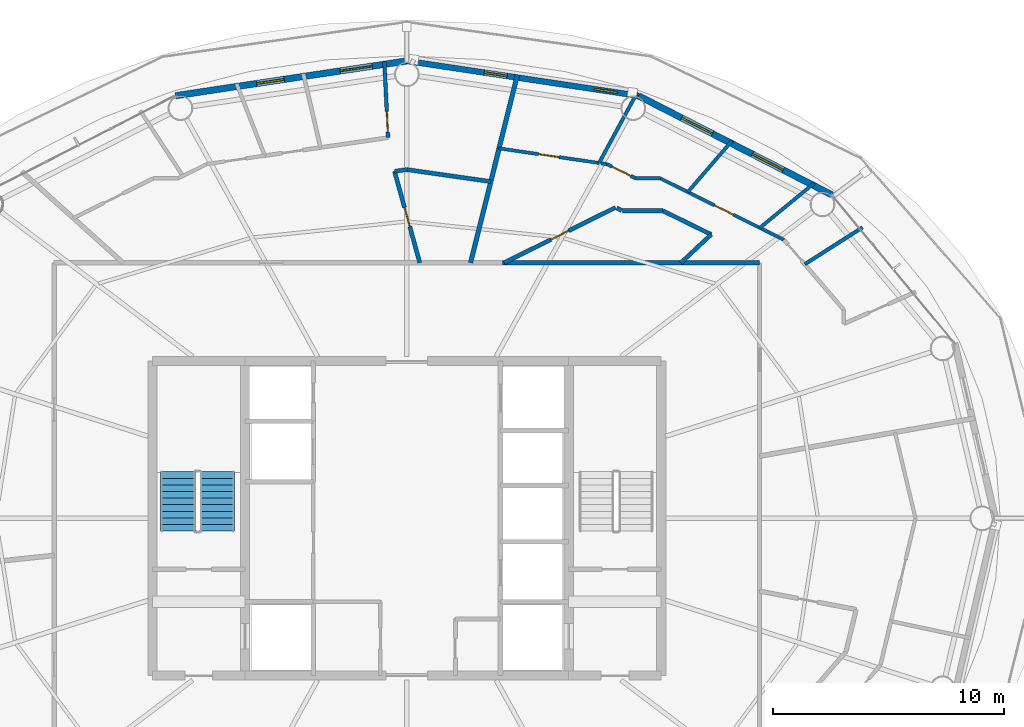
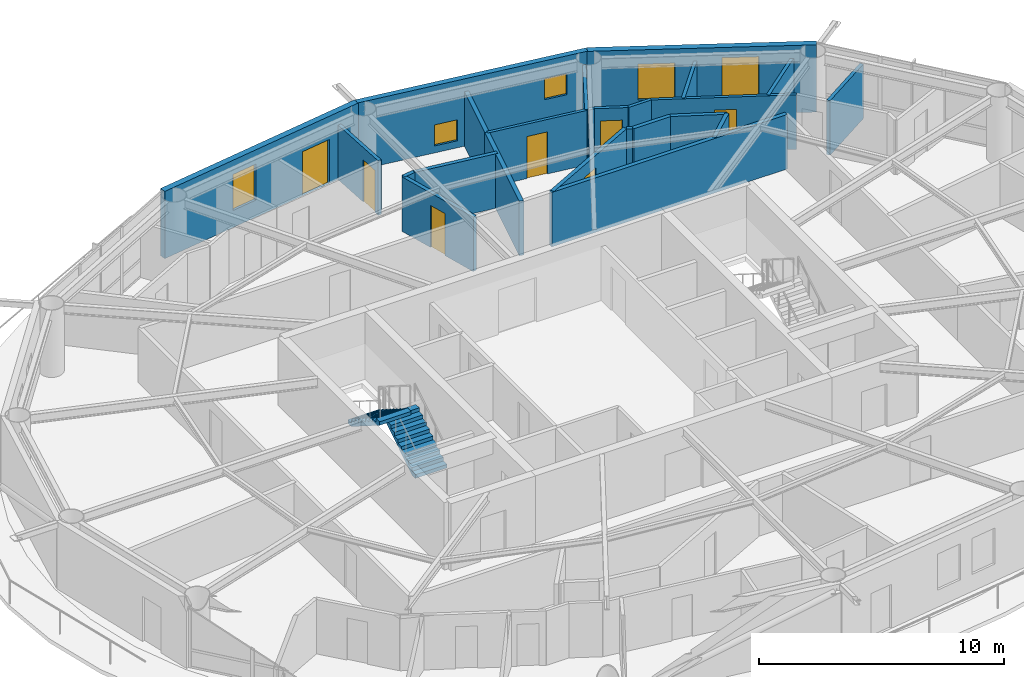
# One storey, part 19 of 23: 24 walls, 7 doors, 5 windows, 2 stair flights, 12 openings, 1 element without a shape of its own.
"""IFC4 building model written with IfcOpenShell, lengths in metres."""

from ifc_helpers import new_model, si_unit, direction, frame, frame_2d, origin, place, context, subcontext, project, spatial, polyline, rectangle, outline, extrude, material, layer, layer_set, type_object, element, fill, aggregate, save


model = new_model("IFC4")

# Units and contexts
model_context = context("Model", 3, precision=1e-05, world=origin(), true_north=direction((0.0, 1.0)))
body_context = subcontext(model_context, "Body", "Model", "MODEL_VIEW")
ifc_project = project(units=[si_unit("LENGTHUNIT", "METRE"), si_unit("AREAUNIT", "SQUARE_METRE"), si_unit("VOLUMEUNIT", "CUBIC_METRE"), si_unit("PLANEANGLEUNIT", "RADIAN"), si_unit("MASSUNIT", "GRAM", prefix="KILO")], contexts=[model_context])

# Site, building, storey
site_placement = place(None, origin())
site = spatial("IfcSite", under=ifc_project, at=site_placement, CompositionType="ELEMENT")
building_placement = place(site_placement, origin())
building = spatial("IfcBuilding", under=site, at=building_placement, Name="Sarneth Arch Tower", CompositionType="ELEMENT")
storey_placement = place(building_placement, frame((0.0, 0.0, 249.60009765625)))
storey = spatial("IfcBuildingStorey", under=building, at=storey_placement, Name="L64", CompositionType="ELEMENT", Elevation=249.60009765625)

# Wall
ifc_material_1 = material(Name="Double steel-stud corridor fire wall", Category="steel")
ifc_layer_1 = layer(ifc_material_1, 0.18994140625)
ifc_layer_set_1 = layer_set([ifc_layer_1], Name="Double steel-stud corridor fire wall")
wall_type_1 = type_object("IfcWallType", Name="WALL-CORR-190", PredefinedType="PARTITIONING", material=ifc_layer_set_1)
wall_1_placement = place(storey_placement, frame((52.132568359375, 53.050048828125, 0.0), z_axis=(0.0, 0.0, 1.0), x_axis=(1.0, 0.0, 0.0)))
element("IfcWall", 1, at=wall_1_placement, inside=storey, type_object=wall_type_1, Name="L64 Interior partition W-L64-TP-004", PredefinedType="PARTITIONING", context=body_context, shape_type="SweptSolid", body=[
    extrude(rectangle(XDim=11.117431640625, YDim=0.18994140625, at=frame_2d((5.55859375, 0.0))), origin(), (0.0, 0.0, 1.0), 2.719970703125),
])

# Wall, openings, windows
ifc_material_2 = material(Name="Extruded terracotta rainscreen on Concrete C40/50 backing", Category="masonry")
ifc_layer_2 = layer(ifc_material_2, 0.25)
ifc_layer_set_2 = layer_set([ifc_layer_2], Name="Extruded terracotta rainscreen on Concrete C40/50 backing")
wall_type_2 = type_object("IfcWallType", Name="WALL-EXT-SPAND-250", PredefinedType="SOLIDWALL", material=ifc_layer_set_2)
wall_2_placement = place(storey_placement, frame((58.0126953125, 60.2744140625, 0.0), z_axis=(0.0, 0.0, 1.0), x_axis=(-0.988882522213, 0.148698881169, 0.0)))
wall_2 = element("IfcWall", 2, at=wall_2_placement, inside=storey, type_object=wall_type_2, Name="L64 Terracotta perimeter wall 04", PredefinedType="SOLIDWALL", context=body_context, shape_type="SweptSolid", body=[
    extrude(rectangle(XDim=10.125244140625, YDim=0.25, at=frame_2d((5.0625, 0.0))), origin(), (0.0, 0.0, 1.0), 3.35986328125),
])
opening_1_placement = place(wall_2_placement, frame((0.919677734375, 0.0, 1.419921875)))
opening_1 = element("IfcOpeningElement", 3, at=opening_1_placement, cuts=wall_2, Name="Opening W-14", PredefinedType="OPENING", context=body_context, shape_type="SweptSolid", body=[
    extrude(rectangle(XDim=1.0, YDim=1.050048828125, at=frame_2d((0.5, 0.52490234375))), frame((0.0, 0.135009765625, 0.0), z_axis=(0.0, -1.0, 0.0), x_axis=(1.0, 0.0, 0.0)), (0.0, 0.0, 1.0), 0.27001953125),
])
opening_2_placement = place(wall_2_placement, frame((5.73779296875, 0.0, 0.35009765625)))
opening_2 = element("IfcOpeningElement", 4, at=opening_2_placement, cuts=wall_2, Name="Opening W-14", PredefinedType="OPENING", context=body_context, shape_type="SweptSolid", body=[
    extrude(rectangle(XDim=1.0, YDim=1.050048828125, at=frame_2d((0.5, 0.52490234375))), frame((0.0, 0.135009765625, 0.0), z_axis=(0.0, -1.0, 0.0), x_axis=(1.0, 0.0, 0.0)), (0.0, 0.0, 1.0), 0.27001953125),
])
ifc_material_3 = material(Name="Thermally broken Aluminium 6063-T6 and low-e laminated IGU", Category="aluminium")
window_type_1 = type_object("IfcWindowType", Name="WIN-TWR-1000x1050", PartitioningType="SINGLE_PANEL", PredefinedType="WINDOW", material=ifc_material_3)
window_1_placement = place(opening_1_placement, origin())
window_1 = element("IfcWindow", 5, at=window_1_placement, inside=storey, type_object=window_type_1, Name="L64 Dwelling bedroom window 01", OverallHeight=1.050048828125, OverallWidth=1.0, PartitioningType="SINGLE_PANEL", PredefinedType="WINDOW", context=body_context, shape_type="SweptSolid", body=[
    extrude(rectangle(XDim=1.0, YDim=1.050048828125, at=frame_2d((0.5, 0.52490234375))), frame((0.0, 0.030029296875, 0.0), z_axis=(0.0, -1.0, 0.0), x_axis=(1.0, 0.0, 0.0)), (0.0, 0.0, 1.0), 0.06005859375),
])
fill(opening_1, window_1)
window_2_placement = place(opening_2_placement, origin())
window_2 = element("IfcWindow", 6, at=window_2_placement, inside=storey, type_object=window_type_1, Name="L64 Dwelling bedroom window 02", OverallHeight=1.050048828125, OverallWidth=1.0, PartitioningType="SINGLE_PANEL", PredefinedType="WINDOW", context=body_context, shape_type="SweptSolid", body=[
    extrude(rectangle(XDim=1.0, YDim=1.050048828125, at=frame_2d((0.5, 0.52490234375))), frame((0.0, 0.030029296875, 0.0), z_axis=(0.0, -1.0, 0.0), x_axis=(1.0, 0.0, 0.0)), (0.0, 0.0, 1.0), 0.06005859375),
])
fill(opening_2, window_2)

ifc_material_4 = material(Name="Extruded terracotta rainscreen on Concrete C40/50 backing", Category="masonry")
ifc_layer_3 = layer(ifc_material_4, 0.280029296875)
ifc_layer_set_3 = layer_set([ifc_layer_3], Name="Extruded terracotta rainscreen on Concrete C40/50 backing")
wall_type_3 = type_object("IfcWallType", Name="WALL-EXT-TERRA-280", PredefinedType="SOLIDWALL", material=ifc_layer_set_3)
wall_3_placement = place(storey_placement, frame((66.382568359375, 55.986572265625, 0.0), z_axis=(0.0, 0.0, 1.0), x_axis=(-0.890007394051, 0.455946091699, 0.0)))
wall_3 = element("IfcWall", 7, at=wall_3_placement, inside=storey, type_object=wall_type_3, Name="L64 Terracotta perimeter wall 03", PredefinedType="SOLIDWALL", context=body_context, shape_type="SweptSolid", body=[
    extrude(rectangle(XDim=9.404296875, YDim=0.280029296875, at=frame_2d((4.7021484375, 0.0))), origin(), (0.0, 0.0, 1.0), 3.35986328125),
])
opening_3_placement = place(wall_3_placement, frame((2.369140625, 0.0, 0.85009765625)))
opening_3 = element("IfcOpeningElement", 8, at=opening_3_placement, cuts=wall_3, Name="Opening W-06", PredefinedType="OPENING", context=body_context, shape_type="SweptSolid", body=[
    extrude(rectangle(XDim=1.5, YDim=2.0, at=frame_2d((0.75, 1.0))), frame((0.0, 0.14990234375, 0.0), z_axis=(0.0, -1.0, 0.0), x_axis=(1.0, 0.0, 0.0)), (0.0, 0.0, 1.0), 0.300048828125),
])
opening_4_placement = place(wall_3_placement, frame((5.81005859375, 0.0, 0.85009765625)))
opening_4 = element("IfcOpeningElement", 9, at=opening_4_placement, cuts=wall_3, Name="Opening W-07", PredefinedType="OPENING", context=body_context, shape_type="SweptSolid", body=[
    extrude(rectangle(XDim=1.5, YDim=1.800048828125, at=frame_2d((0.75, 0.89990234375))), frame((0.0, 0.14990234375, 0.0), z_axis=(0.0, -1.0, 0.0), x_axis=(1.0, 0.0, 0.0)), (0.0, 0.0, 1.0), 0.300048828125),
])
ifc_material_5 = material(Name="Thermally broken Aluminium 6063-T6 and low-e laminated IGU", Category="aluminium")
window_type_2 = type_object("IfcWindowType", Name="WIN-TWR-1500x1800", PartitioningType="SINGLE_PANEL", PredefinedType="WINDOW", material=ifc_material_5)
window_3_placement = place(opening_4_placement, origin())
window_3 = element("IfcWindow", 10, at=window_3_placement, inside=storey, type_object=window_type_2, Name="L64 Exterior window 03B", OverallHeight=1.800048828125, OverallWidth=1.5, PartitioningType="SINGLE_PANEL", PredefinedType="WINDOW", context=body_context, shape_type="SweptSolid", body=[
    extrude(rectangle(XDim=1.5, YDim=1.800048828125, at=frame_2d((0.75, 0.89990234375))), frame((0.0, 0.030029296875, 0.0), z_axis=(0.0, -1.0, 0.0), x_axis=(1.0, 0.0, 0.0)), (0.0, 0.0, 1.0), 0.06005859375),
])
fill(opening_4, window_3)
ifc_material_6 = material(Name="Thermally broken Aluminium 6063-T6 and low-e laminated IGU", Category="aluminium")
window_type_3 = type_object("IfcWindowType", Name="WIN-TWR-1500x2000", PartitioningType="SINGLE_PANEL", PredefinedType="WINDOW", material=ifc_material_6)
window_4_placement = place(opening_3_placement, origin())
window_4 = element("IfcWindow", 11, at=window_4_placement, inside=storey, type_object=window_type_3, Name="L64 Exterior window 03A", OverallHeight=2.0, OverallWidth=1.5, PartitioningType="SINGLE_PANEL", PredefinedType="WINDOW", context=body_context, shape_type="SweptSolid", body=[
    extrude(rectangle(XDim=1.5, YDim=2.0, at=frame_2d((0.75, 1.0))), frame((0.0, 0.030029296875, 0.0), z_axis=(0.0, -1.0, 0.0), x_axis=(1.0, 0.0, 0.0)), (0.0, 0.0, 1.0), 0.06005859375),
])
fill(opening_3, window_4)

# Wall, openings, door, window
wall_4_placement = place(storey_placement, frame((48.0, 61.780029296875, 0.0), z_axis=(0.0, 0.0, 1.0), x_axis=(-0.988882522213, -0.148698881169, 0.0)))
wall_4 = element("IfcWall", 12, at=wall_4_placement, inside=storey, type_object=wall_type_3, Name="L64 Terracotta perimeter wall 05", PredefinedType="SOLIDWALL", context=body_context, shape_type="SweptSolid", body=[
    extrude(rectangle(XDim=10.125244140625, YDim=0.280029296875, at=frame_2d((5.0625, 0.0))), origin(), (0.0, 0.0, 1.0), 3.35986328125),
])
opening_5_placement = place(wall_4_placement, frame((1.51611328125, 0.0, 0.0)))
opening_5 = element("IfcOpeningElement", 13, at=opening_5_placement, cuts=wall_4, Name="Opening BD-2", PredefinedType="OPENING", context=body_context, shape_type="SweptSolid", body=[
    extrude(rectangle(XDim=1.39990234375, YDim=2.199951171875, at=frame_2d((0.699951171875, 1.10009765625))), frame((0.0, 0.14990234375, 0.0), z_axis=(0.0, -1.0, 0.0), x_axis=(1.0, 0.0, 0.0)), (0.0, 0.0, 1.0), 0.300048828125),
])
opening_6_placement = place(wall_4_placement, frame((5.368408203125, 0.0, 0.85009765625)))
opening_6 = element("IfcOpeningElement", 14, at=opening_6_placement, cuts=wall_4, Name="Opening W-09", PredefinedType="OPENING", context=body_context, shape_type="SweptSolid", body=[
    extrude(rectangle(XDim=1.199951171875, YDim=1.800048828125, at=frame_2d((0.60009765625, 0.89990234375))), frame((0.0, 0.14990234375, 0.0), z_axis=(0.0, -1.0, 0.0), x_axis=(1.0, 0.0, 0.0)), (0.0, 0.0, 1.0), 0.300048828125),
])
ifc_material_7 = material(Name="Thermally broken Aluminium 6063-T6 and laminated safety glass", Category="aluminium")
door_type_1 = type_object("IfcDoorType", Name="DR-BALC-GLZ-1400", OperationType="SINGLE_SWING_LEFT", PredefinedType="DOOR", material=ifc_material_7)
door_1_placement = place(opening_5_placement, origin())
door_1 = element("IfcDoor", 15, at=door_1_placement, inside=storey, type_object=door_type_1, Name="L64 Balcony glazed door 05", OperationType="SINGLE_SWING_LEFT", OverallHeight=2.199951171875, OverallWidth=1.39990234375, PredefinedType="DOOR", context=body_context, shape_type="SweptSolid", body=[
    extrude(rectangle(XDim=1.39990234375, YDim=2.199951171875, at=frame_2d((0.699951171875, 1.10009765625))), frame((0.0, 0.02490234375, 0.0), z_axis=(0.0, -1.0, 0.0), x_axis=(1.0, 0.0, 0.0)), (0.0, 0.0, 1.0), 0.050048828125),
])
fill(opening_5, door_1)
ifc_material_8 = material(Name="Thermally broken Aluminium 6063-T6 and low-e laminated IGU", Category="aluminium")
window_type_4 = type_object("IfcWindowType", Name="WIN-TWR-1200x1800", PartitioningType="SINGLE_PANEL", PredefinedType="WINDOW", material=ifc_material_8)
window_5_placement = place(opening_6_placement, origin())
window_5 = element("IfcWindow", 16, at=window_5_placement, inside=storey, type_object=window_type_4, Name="L64 Exterior window 05A", OverallHeight=1.800048828125, OverallWidth=1.199951171875, PartitioningType="SINGLE_PANEL", PredefinedType="WINDOW", context=body_context, shape_type="SweptSolid", body=[
    extrude(rectangle(XDim=1.199951171875, YDim=1.800048828125, at=frame_2d((0.60009765625, 0.89990234375))), frame((0.0, 0.030029296875, 0.0), z_axis=(0.0, -1.0, 0.0), x_axis=(1.0, 0.0, 0.0)), (0.0, 0.0, 1.0), 0.06005859375),
])
fill(opening_6, window_5)

# Wall, opening, door
ifc_material_9 = material(Name="Apartment internal stud partition", Category="gypsum")
ifc_layer_4 = layer(ifc_material_9, 0.139892578125)
ifc_layer_set_4 = layer_set([ifc_layer_4], Name="Apartment internal stud partition")
wall_type_4 = type_object("IfcWallType", Name="WALL-PART-140", PredefinedType="PARTITIONING", material=ifc_layer_set_4)
wall_5_placement = place(storey_placement, frame((56.313232421875, 57.36767578125, 0.0), z_axis=(0.0, 0.0, 1.0), x_axis=(-0.989534144388, 0.144298915765, 0.0)))
wall_5 = element("IfcWall", 17, at=wall_5_placement, inside=storey, type_object=wall_type_4, Name="L64 Interior partition W-L64-TP-032", PredefinedType="PARTITIONING", context=body_context, shape_type="SweptSolid", body=[
    extrude(rectangle(XDim=4.3701171875, YDim=0.139892578125, at=frame_2d((2.18505859375, 0.0))), origin(), (0.0, 0.0, 1.0), 2.719970703125),
])
opening_7_placement = place(wall_5_placement, frame((1.735107421875, 0.0, 0.0)))
opening_7 = element("IfcOpeningElement", 18, at=opening_7_placement, cuts=wall_5, Name="Opening ID-01", PredefinedType="OPENING", context=body_context, shape_type="SweptSolid", body=[
    extrude(rectangle(XDim=0.89990234375, YDim=2.10009765625, at=frame_2d((0.449951171875, 1.050048828125))), frame((0.0, 0.079833984375, 0.0), z_axis=(0.0, -1.0, 0.0), x_axis=(1.0, 0.0, 0.0)), (0.0, 0.0, 1.0), 0.159912109375),
])
ifc_material_10 = material(Name="Engineered hardwood flush door", Category="wood")
door_type_2 = type_object("IfcDoorType", Name="DR-INT-900", OperationType="SINGLE_SWING_LEFT", PredefinedType="DOOR", material=ifc_material_10)
door_2_placement = place(opening_7_placement, origin())
door_2 = element("IfcDoor", 19, at=door_2_placement, inside=storey, type_object=door_type_2, Name="L64 Interior door DR-L64-U1-BED3", OperationType="SINGLE_SWING_RIGHT", OverallHeight=2.10009765625, OverallWidth=0.89990234375, PredefinedType="DOOR", context=body_context, shape_type="SweptSolid", body=[
    extrude(rectangle(XDim=0.89990234375, YDim=2.10009765625, at=frame_2d((0.449951171875, 1.050048828125))), frame((0.0, 0.02490234375, 0.0), z_axis=(0.0, -1.0, 0.0), x_axis=(1.0, 0.0, 0.0)), (0.0, 0.0, 1.0), 0.050048828125),
])
fill(opening_7, door_2)

wall_6_placement = place(storey_placement, frame((58.9638671875, 56.699951171875, 0.0), z_axis=(0.0, 0.0, 1.0), x_axis=(0.895471406875, -0.445119039661, 0.0)))
wall_6 = element("IfcWall", 20, at=wall_6_placement, inside=storey, type_object=wall_type_4, Name="L64 Interior partition W-L64-TP-027", PredefinedType="PARTITIONING", context=body_context, shape_type="SweptSolid", body=[
    extrude(rectangle(XDim=5.971435546875, YDim=0.139892578125, at=frame_2d((2.98583984375, 0.0))), origin(), (0.0, 0.0, 1.0), 2.719970703125),
])
opening_8_placement = place(wall_6_placement, frame((2.615966796875, 0.0, 0.0)))
opening_8 = element("IfcOpeningElement", 21, at=opening_8_placement, cuts=wall_6, Name="Opening ID-01", PredefinedType="OPENING", context=body_context, shape_type="SweptSolid", body=[
    extrude(rectangle(XDim=0.89990234375, YDim=2.10009765625, at=frame_2d((0.449951171875, 1.050048828125))), frame((0.0, 0.079833984375, 0.0), z_axis=(0.0, -1.0, 0.0), x_axis=(1.0, 0.0, 0.0)), (0.0, 0.0, 1.0), 0.159912109375),
])
door_3_placement = place(opening_8_placement, origin())
door_3 = element("IfcDoor", 22, at=door_3_placement, inside=storey, type_object=door_type_2, Name="L64 Interior door DR-L64-U1-BED1", OperationType="SINGLE_SWING_LEFT", OverallHeight=2.10009765625, OverallWidth=0.89990234375, PredefinedType="DOOR", context=body_context, shape_type="SweptSolid", body=[
    extrude(rectangle(XDim=0.89990234375, YDim=2.10009765625, at=frame_2d((0.449951171875, 1.050048828125))), frame((0.0, 0.02490234375, 0.0), z_axis=(0.0, -1.0, 0.0), x_axis=(1.0, 0.0, 0.0)), (0.0, 0.0, 1.0), 0.050048828125),
])
fill(opening_8, door_3)

# Walls
ifc_material_11 = material(Name="Acoustic gypsum stud partition", Category="gypsum")
ifc_layer_5 = layer(ifc_material_11, 0.14990234375)
ifc_layer_set_5 = layer_set([ifc_layer_5], Name="Acoustic gypsum stud partition")
wall_type_5 = type_object("IfcWallType", Name="WALL-PART-150", PredefinedType="PARTITIONING", material=ifc_layer_set_5)
wall_7_placement = place(storey_placement, frame((57.952392578125, 60.3974609375, 0.0), z_axis=(0.0, 0.0, 1.0), x_axis=(-0.47584015673, -0.879531776142, 0.0)))
element("IfcWall", 23, at=wall_7_placement, inside=storey, type_object=wall_type_5, Name="L64 Interior partition W-L64-TP-040", PredefinedType="PARTITIONING", context=body_context, shape_type="SweptSolid", body=[
    extrude(rectangle(XDim=3.44482421875, YDim=0.14990234375, at=frame_2d((1.722412109375, 0.0))), origin(), (0.0, 0.0, 1.0), 2.719970703125),
])
wall_8_placement = place(storey_placement, frame((65.62158203125, 56.5, 0.0), z_axis=(0.0, 0.0, 1.0), x_axis=(-0.772175042734, -0.635409870381, 0.0)))
element("IfcWall", 24, at=wall_8_placement, inside=storey, type_object=wall_type_5, Name="L64 Interior partition W-L64-TP-038", PredefinedType="PARTITIONING", context=body_context, shape_type="SweptSolid", body=[
    extrude(rectangle(XDim=3.05078125, YDim=0.14990234375, at=frame_2d((1.525390625, 0.0))), origin(), (0.0, 0.0, 1.0), 2.719970703125),
])
wall_9_placement = place(storey_placement, frame((62.063232421875, 58.330322265625, 0.0), z_axis=(0.0, 0.0, 1.0), x_axis=(-0.652532437784, -0.757760791834, 0.0)))
element("IfcWall", 25, at=wall_9_placement, inside=storey, type_object=wall_type_5, Name="L64 Interior partition W-L64-TP-039", PredefinedType="PARTITIONING", context=body_context, shape_type="SweptSolid", body=[
    extrude(rectangle(XDim=2.93017578125, YDim=0.14990234375, at=frame_2d((1.465087890625, 0.0))), origin(), (0.0, 0.0, 1.0), 2.719970703125),
])

# Wall, opening, door
wall_10_placement = place(storey_placement, frame((57.898681640625, 56.699951171875, 0.0), z_axis=(0.0, 0.0, 1.0), x_axis=(-0.895584310315, 0.444891833053, 0.0)))
wall_10 = element("IfcWall", 26, at=wall_10_placement, inside=storey, type_object=wall_type_5, Name="L64 Interior partition W-L64-TP-030", PredefinedType="PARTITIONING", context=body_context, shape_type="SweptSolid", body=[
    extrude(rectangle(XDim=1.388916015625, YDim=0.14990234375, at=frame_2d((0.6943359375, 0.0))), origin(), (0.0, 0.0, 1.0), 2.719970703125),
])
opening_9_placement = place(wall_10_placement, frame((0.244384765625, 0.0, 0.0)))
opening_9 = element("IfcOpeningElement", 27, at=opening_9_placement, cuts=wall_10, Name="Opening ID-01", PredefinedType="OPENING", context=body_context, shape_type="SweptSolid", body=[
    extrude(rectangle(XDim=0.89990234375, YDim=2.10009765625, at=frame_2d((0.449951171875, 1.050048828125))), frame((0.0, 0.0849609375, 0.0), z_axis=(0.0, -1.0, 0.0), x_axis=(1.0, 0.0, 0.0)), (0.0, 0.0, 1.0), 0.169921875),
])
door_4_placement = place(opening_9_placement, origin())
door_4 = element("IfcDoor", 28, at=door_4_placement, inside=storey, type_object=door_type_2, Name="L64 Interior door DR-L64-U1-BED2", OperationType="SINGLE_SWING_RIGHT", OverallHeight=2.10009765625, OverallWidth=0.89990234375, PredefinedType="DOOR", context=body_context, shape_type="SweptSolid", body=[
    extrude(rectangle(XDim=0.89990234375, YDim=2.10009765625, at=frame_2d((0.449951171875, 1.050048828125))), frame((0.0, 0.02490234375, 0.0), z_axis=(0.0, -1.0, 0.0), x_axis=(1.0, 0.0, 0.0)), (0.0, 0.0, 1.0), 0.050048828125),
])
fill(opening_9, door_4)

# Walls
wall_11_placement = place(storey_placement, frame((58.9638671875, 56.699951171875, 0.0), z_axis=(0.0, 0.0, 1.0), x_axis=(-1.0, 0.0, 0.0)))
element("IfcWall", 29, at=wall_11_placement, inside=storey, type_object=wall_type_5, Name="L64 Interior partition W-L64-TP-029", PredefinedType="PARTITIONING", context=body_context, shape_type="SweptSolid", body=[
    extrude(rectangle(XDim=1.065185546875, YDim=0.14990234375, at=frame_2d((0.53271484375, 0.0))), origin(), (0.0, 0.0, 1.0), 2.719970703125),
])
wall_12_placement = place(storey_placement, frame((56.64697265625, 57.319091796875, 0.0), z_axis=(0.0, 0.0, 1.0), x_axis=(-0.989527057152, 0.144347508337, 0.0)))
element("IfcWall", 30, at=wall_12_placement, inside=storey, type_object=wall_type_5, Name="L64 Interior partition W-L64-TP-031", PredefinedType="PARTITIONING", context=body_context, shape_type="SweptSolid", body=[
    extrude(rectangle(XDim=0.245361328125, YDim=0.14990234375, at=frame_2d((0.12255859375, 0.0))), origin(), (0.0, 0.0, 1.0), 2.719970703125),
])

# Wall, opening, door
ifc_material_12 = material(Name="Kitchen wet service chase wall", Category="gypsum")
ifc_layer_6 = layer(ifc_material_12, 0.159912109375)
ifc_layer_set_6 = layer_set([ifc_layer_6], Name="Kitchen wet service chase wall")
wall_type_6 = type_object("IfcWallType", Name="WALL-PLUMB-160", PredefinedType="PLUMBINGWALL", material=ifc_layer_set_6)
wall_13_placement = place(storey_placement, frame((47.027587890625, 61.754638671875, 0.0), z_axis=(0.0, 0.0, 1.0), x_axis=(0.049173036427, -0.998790274526, 0.0)))
wall_13 = element("IfcWall", 31, at=wall_13_placement, inside=storey, type_object=wall_type_6, Name="L64 Interior partition W-L64-TP-043", PredefinedType="PLUMBINGWALL", context=body_context, shape_type="SweptSolid", body=[
    extrude(rectangle(XDim=3.296630859375, YDim=0.159912109375, at=frame_2d((1.6484375, 0.0))), origin(), (0.0, 0.0, 1.0), 2.719970703125),
])
opening_10_placement = place(wall_13_placement, frame((2.158447265625, 0.0, 0.0)))
opening_10 = element("IfcOpeningElement", 32, at=opening_10_placement, cuts=wall_13, Name="Opening ID-01", PredefinedType="OPENING", context=body_context, shape_type="SweptSolid", body=[
    extrude(rectangle(XDim=0.89990234375, YDim=2.10009765625, at=frame_2d((0.449951171875, 1.050048828125))), frame((0.0, 0.08984375, 0.0), z_axis=(0.0, -1.0, 0.0), x_axis=(1.0, 0.0, 0.0)), (0.0, 0.0, 1.0), 0.179931640625),
])
door_5_placement = place(opening_10_placement, origin())
door_5 = element("IfcDoor", 33, at=door_5_placement, inside=storey, type_object=door_type_2, Name="L64 Interior door DR-L64-U2-KIT", OperationType="SINGLE_SWING_LEFT", OverallHeight=2.10009765625, OverallWidth=0.89990234375, PredefinedType="DOOR", context=body_context, shape_type="SweptSolid", body=[
    extrude(rectangle(XDim=0.89990234375, YDim=2.10009765625, at=frame_2d((0.449951171875, 1.050048828125))), frame((0.0, 0.02490234375, 0.0), z_axis=(0.0, -1.0, 0.0), x_axis=(1.0, 0.0, 0.0)), (0.0, 0.0, 1.0), 0.050048828125),
])
fill(opening_10, door_5)

# Wall
wall_14_placement = place(storey_placement, frame((65.210205078125, 52.988037109375, 0.0), z_axis=(0.0, 0.0, 1.0), x_axis=(0.842827369803, 0.538184006369, 0.0)))
element("IfcWall", 34, at=wall_14_placement, inside=storey, type_object=wall_type_6, Name="L64 Interior partition W-L64-TP-037", PredefinedType="PLUMBINGWALL", context=body_context, shape_type="SweptSolid", body=[
    extrude(rectangle(XDim=2.956298828125, YDim=0.159912109375, at=frame_2d((1.47802734375, 0.0))), origin(), (0.0, 0.0, 1.0), 2.719970703125),
])

# Wall, opening, door
ifc_material_13 = material(Name="Moisture-resistant plumbing chase wall", Category="gypsum")
ifc_layer_7 = layer(ifc_material_13, 0.179931640625)
ifc_layer_set_7 = layer_set([ifc_layer_7], Name="Moisture-resistant plumbing chase wall")
wall_type_7 = type_object("IfcWallType", Name="WALL-PLUMB-180", PredefinedType="PLUMBINGWALL", material=ifc_layer_set_7)
wall_15_placement = place(storey_placement, frame((57.02587890625, 55.443603515625, 0.0), z_axis=(0.0, 0.0, 1.0), x_axis=(-0.895693557229, -0.444671847026, 0.0)))
wall_15 = element("IfcWall", 35, at=wall_15_placement, inside=storey, type_object=wall_type_7, Name="L64 Interior partition W-L64-TP-026", PredefinedType="PLUMBINGWALL", context=body_context, shape_type="SweptSolid", body=[
    extrude(rectangle(XDim=5.3828125, YDim=0.179931640625, at=frame_2d((2.69140625, 0.0))), origin(), (0.0, 0.0, 1.0), 2.719970703125),
])
opening_11_placement = place(wall_15_placement, frame((2.2666015625, 0.0, 0.0)))
opening_11 = element("IfcOpeningElement", 36, at=opening_11_placement, cuts=wall_15, Name="Opening ID-02", PredefinedType="OPENING", context=body_context, shape_type="SweptSolid", body=[
    extrude(rectangle(XDim=0.85009765625, YDim=2.10009765625, at=frame_2d((0.425048828125, 1.050048828125))), frame((0.0, 0.099853515625, 0.0), z_axis=(0.0, -1.0, 0.0), x_axis=(1.0, 0.0, 0.0)), (0.0, 0.0, 1.0), 0.199951171875),
])
ifc_material_14 = material(Name="Moisture-resistant bathroom timber door", Category="wood")
door_type_3 = type_object("IfcDoorType", Name="DR-INT-850", OperationType="SINGLE_SWING_RIGHT", PredefinedType="DOOR", material=ifc_material_14)
door_6_placement = place(opening_11_placement, origin())
door_6 = element("IfcDoor", 37, at=door_6_placement, inside=storey, type_object=door_type_3, Name="L64 Interior door DR-L64-U1-BATH", OperationType="SINGLE_SWING_RIGHT", OverallHeight=2.10009765625, OverallWidth=0.85009765625, PredefinedType="DOOR", context=body_context, shape_type="SweptSolid", body=[
    extrude(rectangle(XDim=0.85009765625, YDim=2.10009765625, at=frame_2d((0.425048828125, 1.050048828125))), frame((0.0, 0.02490234375, 0.0), z_axis=(0.0, -1.0, 0.0), x_axis=(1.0, 0.0, 0.0)), (0.0, 0.0, 1.0), 0.050048828125),
])
fill(opening_11, door_6)

wall_16_placement = place(storey_placement, frame((48.55908203125, 53.050048828125, 0.0), z_axis=(0.0, 0.0, 1.0), x_axis=(-0.265841254341, 0.964016819091, 0.0)))
wall_16 = element("IfcWall", 38, at=wall_16_placement, inside=storey, type_object=wall_type_7, Name="L64 Interior partition W-L64-TP-045", PredefinedType="PLUMBINGWALL", context=body_context, shape_type="SweptSolid", body=[
    extrude(rectangle(XDim=4.101318359375, YDim=0.179931640625, at=frame_2d((2.05078125, 0.0))), origin(), (0.0, 0.0, 1.0), 2.719970703125),
])
opening_12_placement = place(wall_16_placement, frame((1.625732421875, 0.0, 0.0)))
opening_12 = element("IfcOpeningElement", 39, at=opening_12_placement, cuts=wall_16, Name="Opening ID-02", PredefinedType="OPENING", context=body_context, shape_type="SweptSolid", body=[
    extrude(rectangle(XDim=0.85009765625, YDim=2.10009765625, at=frame_2d((0.425048828125, 1.050048828125))), frame((0.0, 0.099853515625, 0.0), z_axis=(0.0, -1.0, 0.0), x_axis=(1.0, 0.0, 0.0)), (0.0, 0.0, 1.0), 0.199951171875),
])
door_7_placement = place(opening_12_placement, origin())
door_7 = element("IfcDoor", 40, at=door_7_placement, inside=storey, type_object=door_type_3, Name="L64 Interior door DR-L64-U2-BATH", OperationType="SINGLE_SWING_LEFT", OverallHeight=2.10009765625, OverallWidth=0.85009765625, PredefinedType="DOOR", context=body_context, shape_type="SweptSolid", body=[
    extrude(rectangle(XDim=0.85009765625, YDim=2.10009765625, at=frame_2d((0.425048828125, 1.050048828125))), frame((0.0, 0.02490234375, 0.0), z_axis=(0.0, -1.0, 0.0), x_axis=(1.0, 0.0, 0.0)), (0.0, 0.0, 1.0), 0.050048828125),
])
fill(opening_12, door_7)

# Walls
wall_17_placement = place(storey_placement, frame((48.0, 57.080078125, 0.0), z_axis=(0.0, 0.0, 1.0), x_axis=(0.989914846941, -0.141663671439, 0.0)))
element("IfcWall", 41, at=wall_17_placement, inside=storey, type_object=wall_type_7, Name="L64 Interior partition W-L64-TP-047", PredefinedType="PLUMBINGWALL", context=body_context, shape_type="SweptSolid", body=[
    extrude(rectangle(XDim=3.667236328125, YDim=0.179931640625, at=frame_2d((1.83349609375, 0.0))), origin(), (0.0, 0.0, 1.0), 2.719970703125),
])
wall_18_placement = place(storey_placement, frame((61.16162109375, 54.2734375, 0.0), z_axis=(0.0, 0.0, 1.0), x_axis=(-0.897774561906, 0.440455259925, 0.0)))
element("IfcWall", 42, at=wall_18_placement, inside=storey, type_object=wall_type_7, Name="L64 Interior partition W-L64-TP-023", PredefinedType="PLUMBINGWALL", context=body_context, shape_type="SweptSolid", body=[
    extrude(rectangle(XDim=2.330810546875, YDim=0.179931640625, at=frame_2d((1.16552734375, 0.0))), origin(), (0.0, 0.0, 1.0), 2.719970703125),
])
wall_19_placement = place(storey_placement, frame((59.849609375, 53.050048828125, 0.0), z_axis=(0.0, 0.0, 1.0), x_axis=(0.731376514485, 0.681973895438, 0.0)))
element("IfcWall", 43, at=wall_19_placement, inside=storey, type_object=wall_type_7, Name="L64 Interior partition W-L64-TP-022", PredefinedType="PLUMBINGWALL", context=body_context, shape_type="SweptSolid", body=[
    extrude(rectangle(XDim=1.7939453125, YDim=0.179931640625, at=frame_2d((0.89697265625, 0.0))), origin(), (0.0, 0.0, 1.0), 2.719970703125),
])
wall_20_placement = place(storey_placement, frame((59.069091796875, 55.300048828125, 0.0), z_axis=(0.0, 0.0, 1.0), x_axis=(-1.0, 0.0, 0.0)))
element("IfcWall", 44, at=wall_20_placement, inside=storey, type_object=wall_type_7, Name="L64 Interior partition W-L64-TP-024", PredefinedType="PLUMBINGWALL", context=body_context, shape_type="SweptSolid", body=[
    extrude(rectangle(XDim=1.748291015625, YDim=0.179931640625, at=frame_2d((0.8740234375, 0.0))), origin(), (0.0, 0.0, 1.0), 2.719970703125),
])
wall_21_placement = place(storey_placement, frame((47.46875, 57.00390625, 0.0), z_axis=(0.0, 0.0, 1.0), x_axis=(0.989876577508, 0.141930832804, 0.0)))
element("IfcWall", 45, at=wall_21_placement, inside=storey, type_object=wall_type_7, Name="L64 Interior partition W-L64-TP-046", PredefinedType="PLUMBINGWALL", context=body_context, shape_type="SweptSolid", body=[
    extrude(rectangle(XDim=0.53662109375, YDim=0.179931640625, at=frame_2d((0.268310546875, 0.0))), origin(), (0.0, 0.0, 1.0), 2.719970703125),
])
wall_22_placement = place(storey_placement, frame((57.295654296875, 55.312255859375, 0.0), z_axis=(0.0, 0.0, 1.0), x_axis=(-0.89885637809, 0.438243324612, 0.0)))
element("IfcWall", 46, at=wall_22_placement, inside=storey, type_object=wall_type_7, Name="L64 Interior partition W-L64-TP-025", PredefinedType="PLUMBINGWALL", context=body_context, shape_type="SweptSolid", body=[
    extrude(rectangle(XDim=0.239990234375, YDim=0.179931640625, at=frame_2d((0.1201171875, 0.0))), origin(), (0.0, 0.0, 1.0), 2.719970703125),
])
ifc_material_15 = material(Name="Double steel-stud acoustic drywall", Category="steel")
ifc_layer_8 = layer(ifc_material_15, 0.199951171875)
ifc_layer_set_8 = layer_set([ifc_layer_8], Name="Double steel-stud acoustic drywall")
wall_type_8 = type_object("IfcWallType", Name="WALL-UNIT-200", PredefinedType="PARTITIONING", material=ifc_layer_set_8)
wall_23_placement = place(storey_placement, frame((51.989013671875, 57.998291015625, 0.0), z_axis=(0.0, 0.0, 1.0), x_axis=(-0.241949841323, -0.970288758197, 0.0)))
element("IfcWall", 47, at=wall_23_placement, inside=storey, type_object=wall_type_8, Name="L64 Interior partition W-L64-TP-034", PredefinedType="PARTITIONING", context=body_context, shape_type="SweptSolid", body=[
    extrude(rectangle(XDim=5.099853515625, YDim=0.199951171875, at=frame_2d((2.5498046875, 0.0))), origin(), (0.0, 0.0, 1.0), 2.719970703125),
])
wall_24_placement = place(storey_placement, frame((51.98876953125, 57.998291015625, 0.0), z_axis=(0.0, 0.0, 1.0), x_axis=(0.241922748291, 0.970295513676, 0.0)))
element("IfcWall", 48, at=wall_24_placement, inside=storey, type_object=wall_type_8, Name="L64 Interior partition W-L64-TP-041", PredefinedType="PARTITIONING", context=body_context, shape_type="SweptSolid", body=[
    extrude(rectangle(XDim=3.28076171875, YDim=0.199951171875, at=frame_2d((1.640380859375, 0.0))), origin(), (0.0, 0.0, 1.0), 2.719970703125),
])

# Stair, stair flights
ifc_material_16 = material(Name="Concrete C50/60", Category="concrete")
stair_type = type_object("IfcStairType", Name="STAIR-CORE-RC", PredefinedType="HALF_TURN_STAIR", material=ifc_material_16)
stair_placement = place(storey_placement, origin())
stair = element("IfcStair", 49, at=stair_placement, inside=storey, type_object=stair_type, Name="L64 Core Exit Stair 1", PredefinedType="HALF_TURN_STAIR")
ifc_material_17 = material(Name="Concrete C50/60", Category="concrete")
stair_flight_type = type_object("IfcStairFlightType", Name="FLIGHT-RC-1500", PredefinedType="STRAIGHT", material=ifc_material_17)
stair_flight_1_placement = place(storey_placement, frame((39.800048828125, 41.449951171875, 0.0), z_axis=(0.0, 0.0, 1.0), x_axis=(0.0, 1.0, 0.0)))
stair_flight_1 = element("IfcStairFlight", 50, at=stair_flight_1_placement, type_object=stair_flight_type, Name="ST-1 flight 1", NumberOfRisers=10, NumberOfTreads=9, PredefinedType="STRAIGHT", RiserHeight=0.18, TreadLength=0.285, context=body_context, shape_type="SweptSolid", body=[
    extrude(outline(polyline([(0.0, 0.0), (0.0, 0.179931640625), (0.284912109375, 0.179931640625), (0.284912109375, 0.360107421875), (0.570068359375, 0.360107421875), (0.570068359375, 0.5400390625), (0.85498046875, 0.5400390625), (0.85498046875, 0.719970703125), (1.139892578125, 0.719970703125), (1.139892578125, 0.89990234375), (1.425048828125, 0.89990234375), (1.425048828125, 1.080078125), (1.7099609375, 1.080078125), (1.7099609375, 1.260009765625), (1.9951171875, 1.260009765625), (1.9951171875, 1.43994140625), (2.280029296875, 1.43994140625), (2.280029296875, 1.6201171875), (2.56494140625, 1.6201171875), (2.56494140625, 1.800048828125), (2.56494140625, 1.442626953125), (0.28076171875, 0.0), (0.0, 0.0)])), frame((0.0, 0.75, 0.0), z_axis=(0.0, -1.0, 0.0), x_axis=(1.0, 0.0, 0.0)), (0.0, 0.0, 1.0), 1.5),
])
stair_flight_2_placement = place(storey_placement, frame((38.10009765625, 44.014892578125, 1.7998046875), z_axis=(0.0, 0.0, 1.0), x_axis=(0.0, -1.0, 0.0)))
stair_flight_2 = element("IfcStairFlight", 51, at=stair_flight_2_placement, type_object=stair_flight_type, Name="ST-1 flight 2", NumberOfRisers=10, NumberOfTreads=9, PredefinedType="STRAIGHT", RiserHeight=0.18, TreadLength=0.285, context=body_context, shape_type="SweptSolid", body=[
    extrude(outline(polyline([(0.0, 0.0), (0.0, 0.179931640625), (0.284912109375, 0.179931640625), (0.284912109375, 0.360107421875), (0.570068359375, 0.360107421875), (0.570068359375, 0.5400390625), (0.85498046875, 0.5400390625), (0.85498046875, 0.719970703125), (1.139892578125, 0.719970703125), (1.139892578125, 0.89990234375), (1.425048828125, 0.89990234375), (1.425048828125, 1.080078125), (1.7099609375, 1.080078125), (1.7099609375, 1.260009765625), (1.9951171875, 1.260009765625), (1.9951171875, 1.43994140625), (2.280029296875, 1.43994140625), (2.280029296875, 1.6201171875), (2.56494140625, 1.6201171875), (2.56494140625, 1.800048828125), (2.56494140625, 1.442626953125), (0.28076171875, 0.0), (0.0, 0.0)])), frame((0.0, 0.75, 0.0), z_axis=(0.0, -1.0, 0.0), x_axis=(1.0, 0.0, 0.0)), (0.0, 0.0, 1.0), 1.5),
])
aggregate(stair, [stair_flight_1, stair_flight_2])

save(model, "model.ifc")
